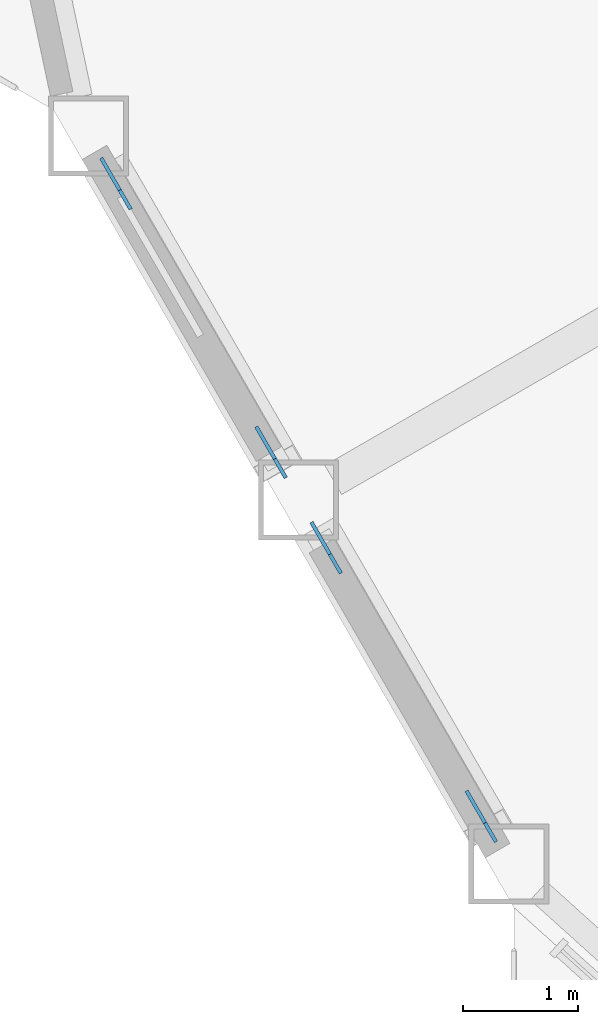
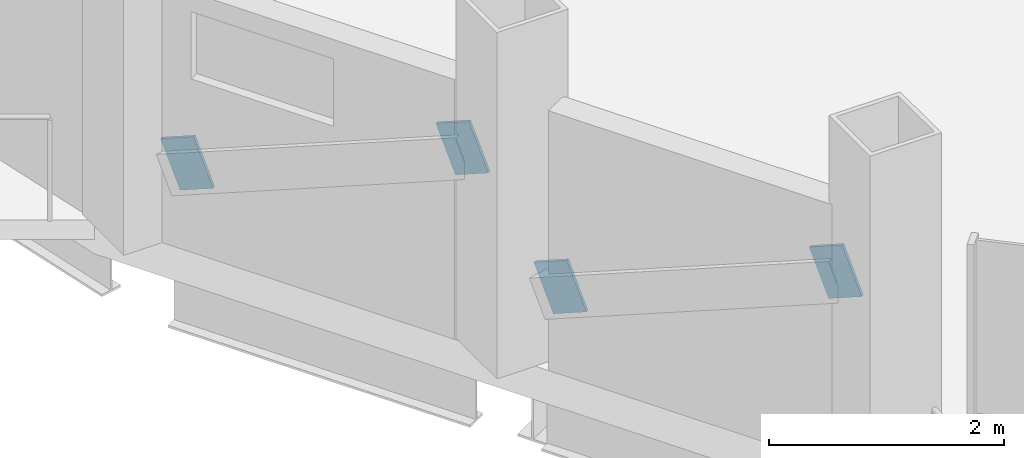
# One storey, part 16 of 23: 4 discrete accessories.
"""IFC4 building model written with IfcOpenShell, lengths in metres."""

from ifc_helpers import new_model, si_unit, direction, frame, origin, origin_2d, place, context, subcontext, project, spatial, rectangle, extrude, material, material_profile, profile_set, type_object, element, save


model = new_model("IFC4")

# Units and contexts
model_context = context("Model", 3, precision=1e-05, world=origin(), true_north=direction((0.0, 1.0)))
body_context = subcontext(model_context, "Body", "Model", "MODEL_VIEW")
ifc_project = project(units=[si_unit("LENGTHUNIT", "METRE"), si_unit("AREAUNIT", "SQUARE_METRE"), si_unit("VOLUMEUNIT", "CUBIC_METRE"), si_unit("PLANEANGLEUNIT", "RADIAN"), si_unit("MASSUNIT", "GRAM", prefix="KILO")], contexts=[model_context])

# Site, building, storey
site_placement = place(None, origin())
site = spatial("IfcSite", under=ifc_project, at=site_placement, CompositionType="ELEMENT")
building_placement = place(site_placement, origin())
building = spatial("IfcBuilding", under=site, at=building_placement, Name="Cormorant Prow Tower", CompositionType="ELEMENT")
storey_placement = place(building_placement, frame((0.0, 0.0, 252.60009765625)))
storey = spatial("IfcBuildingStorey", under=building, at=storey_placement, Name="L56", CompositionType="ELEMENT", Elevation=252.60009765625)

# Discrete accessories
ifc_material = material(Name="Structural steel ASTM A500 Gr C", Category="steel")
ifc_material_profile = material_profile(ifc_material, rectangle(XDim=0.031982421875, YDim=0.506103515625, at=origin_2d()), Name="Gusset plate 32x506")
ifc_profile_set = profile_set([ifc_material_profile], Name="Structural steel ASTM A500 Gr C")
discrete_accessory_type = type_object("IfcDiscreteAccessoryType", Name="Gusset plate 32x506", PredefinedType="BRACKET", material=ifc_profile_set)
discrete_accessory_1_placement = place(storey_placement, frame((-29.2900390625, -13.4150390625, 0.863037109375), z_axis=(-0.462538490196, 0.801593854051, -0.378821116405), x_axis=(-0.866147934042, -0.499787711288, 0.0)))
element("IfcDiscreteAccessory", 1, at=discrete_accessory_1_placement, inside=storey, type_object=discrete_accessory_type, Name="Gusset plate GP2 L56.WSW00.g0", PredefinedType="BRACKET", context=body_context, shape_type="SweptSolid", body=[
    extrude(rectangle(XDim=0.031982421875, YDim=0.506103515625, at=origin_2d()), origin(), (0.0, 0.0, 1.0), 0.349853515625),
])
discrete_accessory_2_placement = place(storey_placement, frame((-28.09814453125, -15.4794921875, 1.837646484375), z_axis=(0.462827914709, -0.801584490837, 0.378487285673), x_axis=(0.866010015463, 0.500026652407, 0.0)))
element("IfcDiscreteAccessory", 2, at=discrete_accessory_2_placement, inside=storey, type_object=discrete_accessory_type, Name="Gusset plate GP2 L56.WSW00.g1", PredefinedType="BRACKET", context=body_context, shape_type="SweptSolid", body=[
    extrude(rectangle(XDim=0.031982421875, YDim=0.506103515625, at=origin_2d()), origin(), (0.0, 0.0, 1.0), 0.350341796875),
])
discrete_accessory_3_placement = place(storey_placement, frame((-27.454833984375, -16.59375, 0.863037109375), z_axis=(-0.462538490196, 0.801593854051, -0.378821116405), x_axis=(-0.866147934042, -0.499787711288, 0.0)))
element("IfcDiscreteAccessory", 3, at=discrete_accessory_3_placement, inside=storey, type_object=discrete_accessory_type, Name="Gusset plate GP2 L56.WSW01.g0", PredefinedType="BRACKET", context=body_context, shape_type="SweptSolid", body=[
    extrude(rectangle(XDim=0.031982421875, YDim=0.506103515625, at=origin_2d()), origin(), (0.0, 0.0, 1.0), 0.349853515625),
])
discrete_accessory_4_placement = place(storey_placement, frame((-26.262939453125, -18.658203125, 1.837646484375), z_axis=(0.462827914709, -0.801584490837, 0.378487285673), x_axis=(0.866010015463, 0.500026652407, 0.0)))
element("IfcDiscreteAccessory", 4, at=discrete_accessory_4_placement, inside=storey, type_object=discrete_accessory_type, Name="Gusset plate GP2 L56.WSW01.g1", PredefinedType="BRACKET", context=body_context, shape_type="SweptSolid", body=[
    extrude(rectangle(XDim=0.031982421875, YDim=0.506103515625, at=origin_2d()), origin(), (0.0, 0.0, 1.0), 0.350341796875),
])

save(model, "model.ifc")
